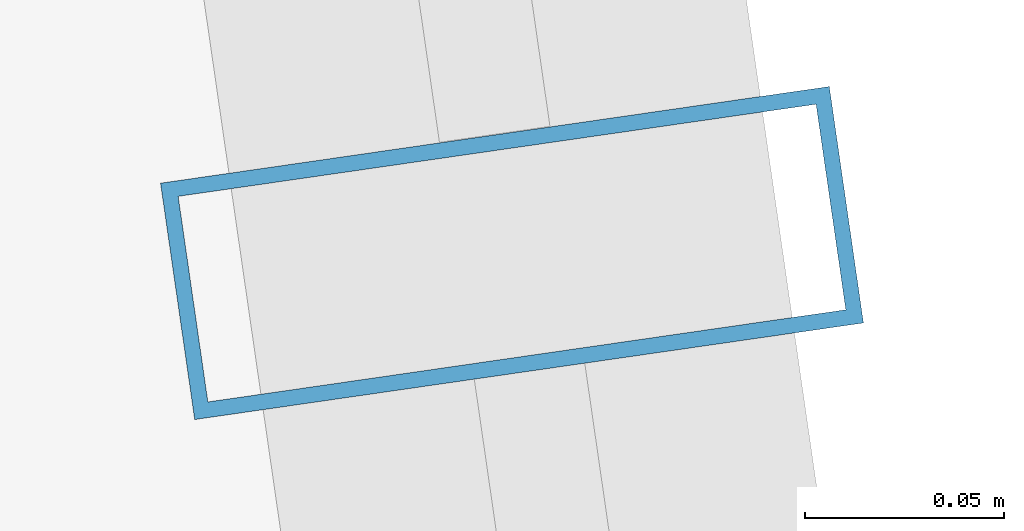
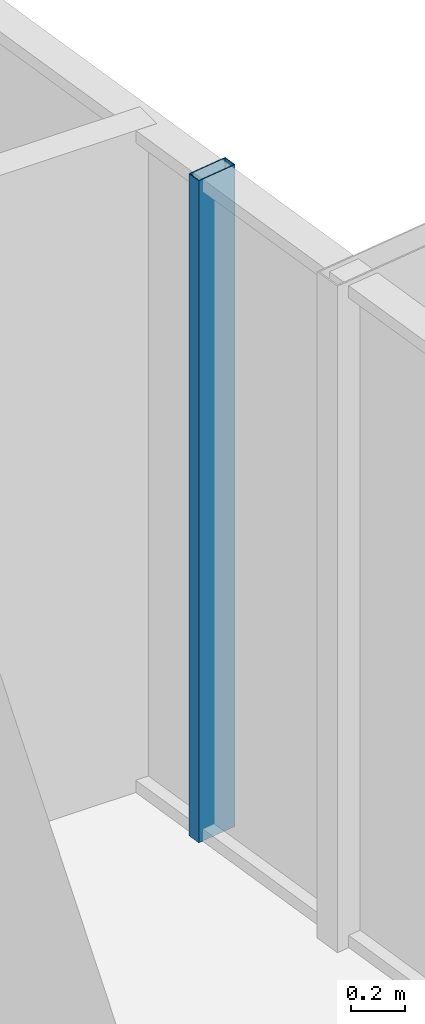
# One storey, part 19 of 34: 1 member, 1 element without a shape of its own.
"""IFC4 building model written with IfcOpenShell, lengths in metres."""

from ifc_helpers import new_model, si_unit, direction, frame, origin, origin_2d, place, context, subcontext, project, spatial, hollow_rectangle, extrude, source, transform, mapped, material, layer, layer_set, material_profile, profile_set, type_object, element, aggregate, save


model = new_model("IFC4")

# Units and contexts
model_context = context("Model", 3, precision=1e-05, world=origin(), true_north=direction((0.0, 1.0)))
body_context = subcontext(model_context, "Body", "Model", "MODEL_VIEW")
ifc_project = project(units=[si_unit("LENGTHUNIT", "METRE"), si_unit("AREAUNIT", "SQUARE_METRE"), si_unit("VOLUMEUNIT", "CUBIC_METRE"), si_unit("PLANEANGLEUNIT", "RADIAN"), si_unit("MASSUNIT", "GRAM", prefix="KILO")], contexts=[model_context])

# Site, building, storey
site_placement = place(None, origin())
site = spatial("IfcSite", under=ifc_project, at=site_placement, CompositionType="ELEMENT")
building_placement = place(site_placement, origin())
building = spatial("IfcBuilding", under=site, at=building_placement, Name="Veraguas Prism Commons", CompositionType="ELEMENT")
storey_placement = place(building_placement, frame((0.0, 0.0, 155.5)))
storey = spatial("IfcBuildingStorey", under=building, at=storey_placement, Name="L44", CompositionType="ELEMENT", Elevation=155.5)

# Curtain wall, member
ifc_material = material(Name="Anodised aluminium EN AW-6063 T6", Category="aluminium")
ifc_layer = layer(ifc_material, 0.169921875, Name="Unitised Flush Curtain Wall Zone 2", Category="aluminium")
ifc_layer_set = layer_set([ifc_layer], Name="Anodised aluminium EN AW-6063 T6")
curtain_wall_type = type_object("IfcCurtainWallType", Name="Unitised Flush Curtain Wall Zone 2", PredefinedType="NOTDEFINED", material=ifc_layer_set)
curtain_wall_placement = place(storey_placement, origin())
curtain_wall = element("IfcCurtainWall", 1, at=curtain_wall_placement, inside=storey, type_object=curtain_wall_type, Name="Tower Facade Curtain Wall L44-F6", PredefinedType="NOTDEFINED")
ifc_material_profile = material_profile(ifc_material, hollow_rectangle(XDim=0.06005859375, YDim=0.169921875, WallThickness=0.00390625, at=origin_2d()), Name="AL60X170X4")
ifc_profile_set = profile_set([ifc_material_profile], Name="Anodised aluminium EN AW-6063 T6")
member_type = type_object("IfcMemberType", Name="Curtain Wall Mullion Lower AL 60x170x4", PredefinedType="MULLION", material=ifc_profile_set)
shared_shape = source(origin(), body_context, "Body", "SweptSolid", [
    extrude(hollow_rectangle(XDim=0.06005859375, YDim=0.169921875, WallThickness=0.00390625, at=origin_2d()), origin(), (0.0, 0.0, 1.0), 2.969970703125),
])
member_placement = place(storey_placement, frame((42.369384765625, 31.0068359375, 0.0), z_axis=(0.0, 0.0, 1.0), x_axis=(-0.142970967293, 0.989726882787, 0.0)))
member = element("IfcMember", 2, at=member_placement, type_object=member_type, Name="CW-Z2 Mullion 4", PredefinedType="MULLION", context=body_context, shape_type="MappedRepresentation", body=[
    mapped(shared_shape, transform((0.0, 0.0, 0.0), scale=1.0)),
])
aggregate(curtain_wall, [member])

save(model, "model.ifc")
